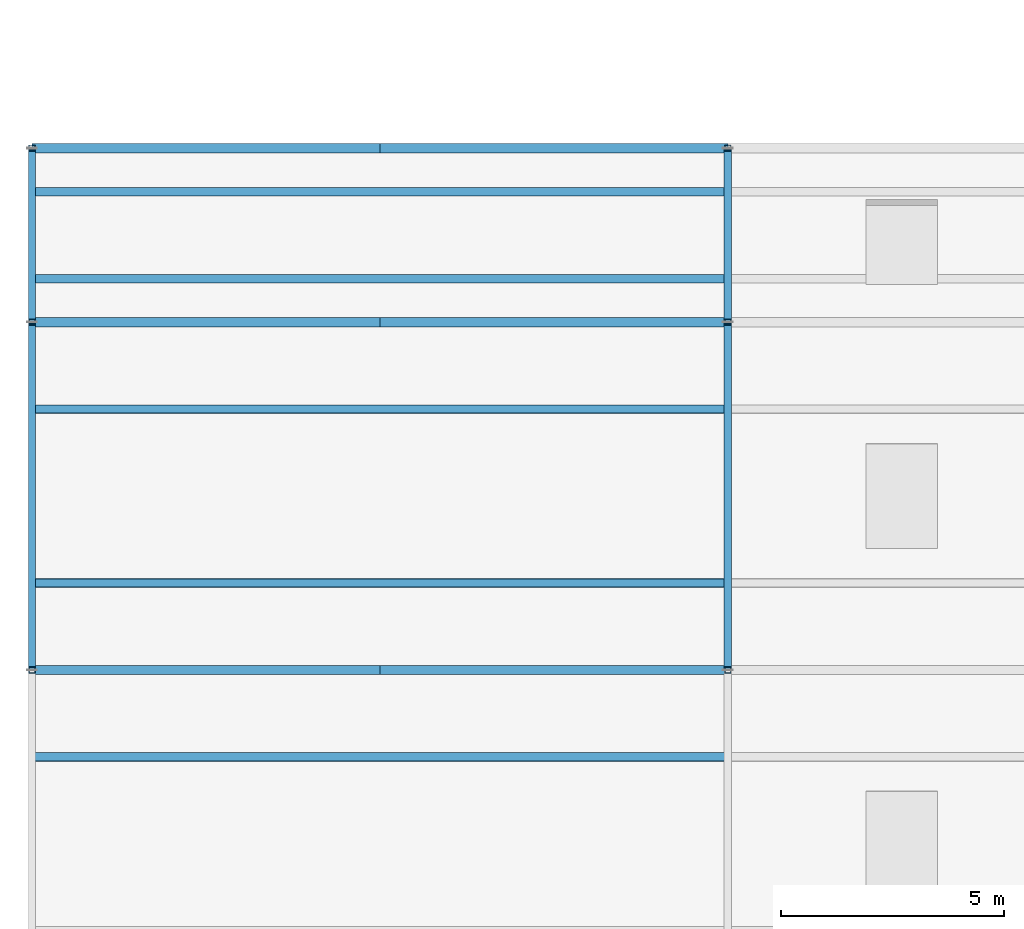
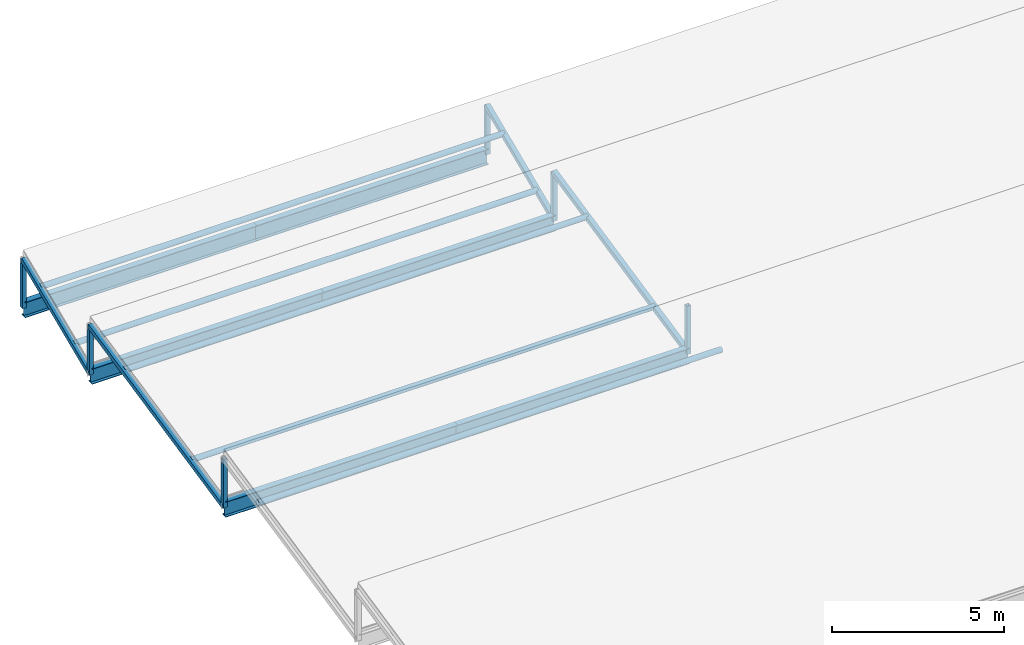
# One storey, part 18 of 89: 15 members, 6 beams.
"""IFC4 building model written with IfcOpenShell, lengths in metres."""

from ifc_helpers import new_model, si_unit, direction, frame, origin, origin_2d, place, context, subcontext, project, spatial, hollow_rectangle, hollow_circle, i_section, extrude, material, material_profile, profile_set, type_object, element, save


model = new_model("IFC4")

# Units and contexts
model_context = context("Model", 3, precision=1e-05, world=origin(), true_north=direction((0.0, 1.0)))
body_context = subcontext(model_context, "Body", "Model", "MODEL_VIEW")
ifc_project = project(units=[si_unit("LENGTHUNIT", "METRE"), si_unit("AREAUNIT", "SQUARE_METRE"), si_unit("VOLUMEUNIT", "CUBIC_METRE"), si_unit("PLANEANGLEUNIT", "RADIAN"), si_unit("MASSUNIT", "GRAM", prefix="KILO")], contexts=[model_context])

# Site, building, storey
site_placement = place(None, origin())
site = spatial("IfcSite", under=ifc_project, at=site_placement, CompositionType="ELEMENT")
building_placement = place(site_placement, origin())
building = spatial("IfcBuilding", under=site, at=building_placement, Name="Celorna Specialist Clinic", CompositionType="ELEMENT")
storey_placement = place(building_placement, frame((0.0, 0.0, 14.10009765625)))
storey = spatial("IfcBuildingStorey", under=building, at=storey_placement, Name="L03", CompositionType="ELEMENT", Elevation=14.10009765625)

# Beams
ifc_material = material(Name="Steel S355", Category="steel")
ifc_material_profile_1 = material_profile(ifc_material, i_section(OverallWidth=0.2099609375, OverallDepth=0.550048828125, WebThickness=0.010986328125, FlangeThickness=0.01708984375, at=origin_2d()), Name="IPE 550")
ifc_profile_set_1 = profile_set([ifc_material_profile_1], Name="Steel S355")
beam_type = type_object("IfcBeamType", Name="BM-07", PredefinedType="BEAM", material=ifc_profile_set_1)
for number, where, z_axis, x_axis, name in (
    (1, (0.0, 50.699951171875, -0.300048828125), (1.0, 0.0, 0.0), (0.0, 1.0, 0.0), "Sawtooth valley girder #3"),
    (2, (7.800048828125, 50.699951171875, -0.300048828125), (1.0, 0.0, 0.0), (0.0, 1.0, 0.0), "Sawtooth valley girder #3"),
    (3, (0.0, 62.39990234375, -0.300048828125), (1.0, 0.0, 0.0), (0.0, 1.0, 0.0), "Sawtooth north eave girder"),
    (4, (7.800048828125, 62.39990234375, -0.300048828125), (1.0, 0.0, 0.0), (0.0, 1.0, 0.0), "Sawtooth north eave girder"),
    (5, (0.0, 58.5, -0.300048828125), (1.0, 0.0, 0.0), (0.0, 1.0, 0.0), "Sawtooth valley girder #4"),
    (6, (7.800048828125, 58.5, -0.300048828125), (1.0, 0.0, 0.0), (0.0, 1.0, 0.0), "Sawtooth valley girder #4"),
):
    element("IfcBeam", number, at=place(storey_placement, frame(where, z_axis=z_axis, x_axis=x_axis)), inside=storey, type_object=beam_type, Name=name, PredefinedType="BEAM", context=body_context, shape_type="SweptSolid", body=[
        extrude(i_section(OverallWidth=0.2099609375, OverallDepth=0.550048828125, WebThickness=0.010986328125, FlangeThickness=0.01708984375, at=origin_2d()), origin(), (0.0, 0.0, 1.0), 7.800048828125),
    ])

# Members
ifc_material_profile_2 = material_profile(ifc_material, hollow_circle(Radius=0.096923828125, WallThickness=0.010009765625, at=origin_2d()), Name="CHS 193.7x10")
ifc_profile_set_2 = profile_set([ifc_material_profile_2], Name="Steel S355")
member_type_1 = type_object("IfcMemberType", Name="MB-04", PredefinedType="PURLIN", material=ifc_profile_set_2)
for number, where, z_axis, x_axis, name in (
    (7, (0.0, 48.75, 1.060302734375), (1.0, 0.0, 0.0), (0.0, 1.0, 0.0), "Roof purlin WP-278-WP-279"),
    (8, (0.0, 52.64990234375, 0.225341796875), (1.0, 0.0, 0.0), (0.0, 1.0, 0.0), "Roof purlin WP-287-WP-288"),
    (9, (0.0, 56.550048828125, 1.060302734375), (1.0, 0.0, 0.0), (0.0, 1.0, 0.0), "Roof purlin WP-290-WP-291"),
    (10, (0.0, 59.47509765625, 0.225341796875), (1.0, 0.0, 0.0), (0.0, 1.0, 0.0), "Roof purlin WP-299-WP-300"),
    (11, (0.0, 61.425048828125, 1.060302734375), (1.0, 0.0, 0.0), (0.0, 1.0, 0.0), "Roof purlin WP-302-WP-303"),
):
    element("IfcMember", number, at=place(storey_placement, frame(where, z_axis=z_axis, x_axis=x_axis)), inside=storey, type_object=member_type_1, Name=name, PredefinedType="PURLIN", context=body_context, shape_type="SweptSolid", body=[
        extrude(hollow_circle(Radius=0.096923828125, WallThickness=0.010009765625, at=origin_2d()), origin(), (0.0, 0.0, 1.0), 15.60009765625),
    ])
ifc_material_profile_3 = material_profile(ifc_material, hollow_rectangle(XDim=0.159912109375, YDim=0.159912109375, WallThickness=0.010009765625, at=origin_2d()), Name="SHS 160x160x10")
ifc_profile_set_3 = profile_set([ifc_material_profile_3], Name="Steel S355")
member_type_2 = type_object("IfcMemberType", Name="MB-09", PredefinedType="CHORD", material=ifc_profile_set_3)
for number, where, z_axis, x_axis, name in (
    (12, (0.0, 50.699951171875, -0.2021484375), (0.0, 0.977835098472, 0.209376503448), (-1.0, 0.0, 0.0), "Pitched roof rafter chord WP-281-WP-282"),
    (13, (15.60009765625, 50.699951171875, -0.2021484375), (0.0, 0.977835098472, 0.209376503448), (-1.0, 0.0, 0.0), "Pitched roof rafter chord WP-283-WP-284"),
):
    element("IfcMember", number, at=place(storey_placement, frame(where, z_axis=z_axis, x_axis=x_axis)), inside=storey, type_object=member_type_2, Name=name, PredefinedType="CHORD", context=body_context, shape_type="SweptSolid", body=[
        extrude(hollow_rectangle(XDim=0.159912109375, YDim=0.159912109375, WallThickness=0.010009765625, at=origin_2d()), origin(), (0.0, 0.0, 1.0), 7.976806640625),
    ])
for number, where, z_axis, x_axis, name in (
    (14, (0.0, 58.5, -0.2021484375), (0.0, 0.91924917704, 0.393676200083), (-1.0, 0.0, 0.0), "Pitched roof rafter chord WP-293-WP-294"),
    (15, (15.60009765625, 58.5, -0.2021484375), (0.0, 0.91924917704, 0.393676200083), (-1.0, 0.0, 0.0), "Pitched roof rafter chord WP-295-WP-296"),
):
    element("IfcMember", number, at=place(storey_placement, frame(where, z_axis=z_axis, x_axis=x_axis)), inside=storey, type_object=member_type_2, Name=name, PredefinedType="CHORD", context=body_context, shape_type="SweptSolid", body=[
        extrude(hollow_rectangle(XDim=0.159912109375, YDim=0.159912109375, WallThickness=0.010009765625, at=origin_2d()), origin(), (0.0, 0.0, 1.0), 4.242431640625),
    ])
ifc_material_profile_4 = material_profile(ifc_material, hollow_rectangle(XDim=0.139892578125, YDim=0.139892578125, WallThickness=0.008056640625, at=origin_2d()), Name="SHS 140x140x8")
ifc_profile_set_4 = profile_set([ifc_material_profile_4], Name="Steel S355")
member_type_3 = type_object("IfcMemberType", Name="MB-10", PredefinedType="CHORD", material=ifc_profile_set_4)
for number, where, z_axis, x_axis, name in (
    (16, (0.0, 50.699951171875, -0.25), (0.0, 0.0, 1.0), (1.0, 0.0, 0.0), "Roof ridge/eave support post ROOF-V2-SAW-2"),
    (17, (15.60009765625, 50.699951171875, -0.25), (0.0, 0.0, 1.0), (1.0, 0.0, 0.0), "Roof ridge/eave support post ROOF-V2-SAW-2"),
    (18, (0.0, 58.5, -0.25), (0.0, 0.0, 1.0), (1.0, 0.0, 0.0), "Roof ridge/eave support post ROOF-V2-SAW-3"),
    (19, (15.60009765625, 58.5, -0.25), (0.0, 0.0, 1.0), (1.0, 0.0, 0.0), "Roof ridge/eave support post ROOF-V2-SAW-3"),
    (20, (0.0, 62.39990234375, -0.25), (0.0, 0.0, 1.0), (1.0, 0.0, 0.0), "Roof ridge/eave support post ROOF-V2-SAW-4"),
    (21, (15.60009765625, 62.39990234375, -0.25), (0.0, 0.0, 1.0), (1.0, 0.0, 0.0), "Roof ridge/eave support post ROOF-V2-SAW-4"),
):
    element("IfcMember", number, at=place(storey_placement, frame(where, z_axis=z_axis, x_axis=x_axis)), inside=storey, type_object=member_type_3, Name=name, PredefinedType="CHORD", context=body_context, shape_type="SweptSolid", body=[
        extrude(hollow_rectangle(XDim=0.139892578125, YDim=0.139892578125, WallThickness=0.008056640625, at=origin_2d()), origin(), (0.0, 0.0, 1.0), 1.718017578125),
    ])

save(model, "model.ifc")
